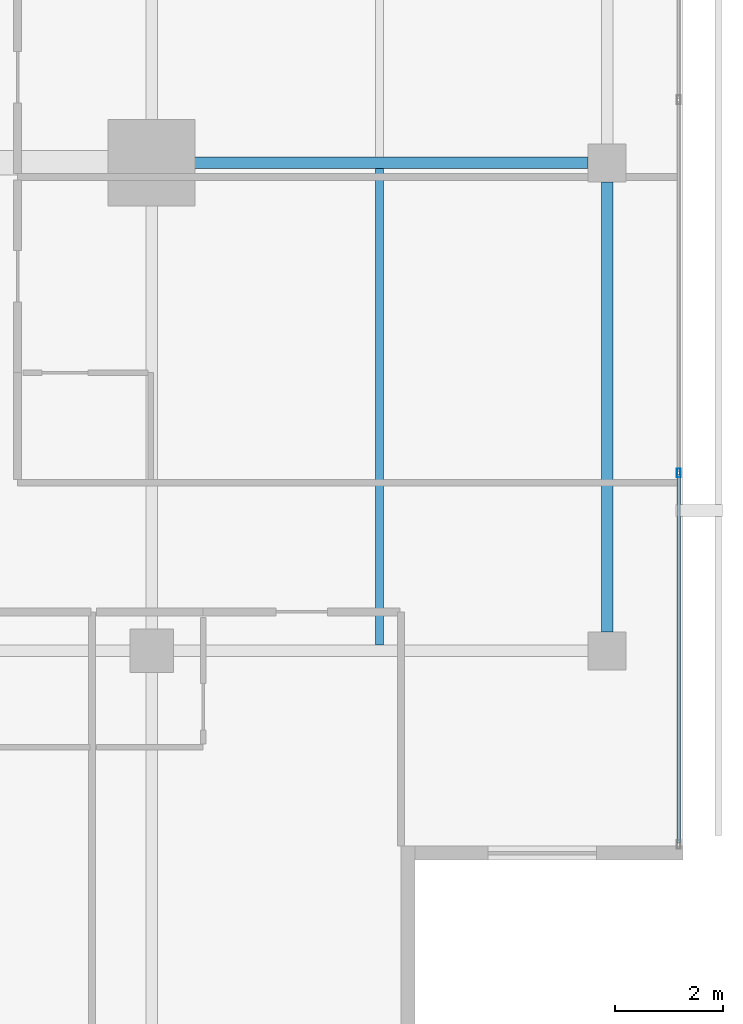
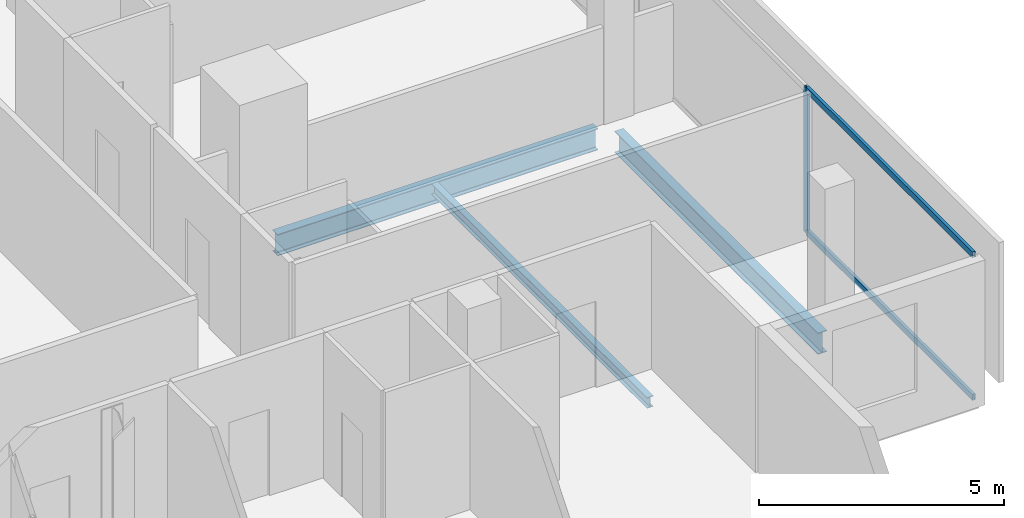
# One storey, part 12 of 26: 3 beams, 3 members, 1 element without a shape of its own.
"""IFC4 building model written with IfcOpenShell, lengths in metres."""

from ifc_helpers import new_model, si_unit, direction, frame, origin, origin_2d, place, context, subcontext, project, spatial, hollow_rectangle, i_section, extrude, material, layer, layer_set, material_profile, profile_set, type_object, element, aggregate, save


model = new_model("IFC4")

# Units and contexts
model_context = context("Model", 3, precision=1e-05, world=origin(), true_north=direction((0.0, 1.0)))
body_context = subcontext(model_context, "Body", "Model", "MODEL_VIEW")
ifc_project = project(units=[si_unit("LENGTHUNIT", "METRE"), si_unit("AREAUNIT", "SQUARE_METRE"), si_unit("VOLUMEUNIT", "CUBIC_METRE"), si_unit("PLANEANGLEUNIT", "RADIAN"), si_unit("MASSUNIT", "GRAM", prefix="KILO")], contexts=[model_context])

# Site, building, storey
site_placement = place(None, origin())
site = spatial("IfcSite", under=ifc_project, at=site_placement, CompositionType="ELEMENT")
building_placement = place(site_placement, origin())
building = spatial("IfcBuilding", under=site, at=building_placement, Name="Maruvema Waterfront Hotel and Observation Tower", CompositionType="ELEMENT")
storey_placement = place(building_placement, frame((0.0, 0.0, 243.25)))
storey = spatial("IfcBuildingStorey", under=building, at=storey_placement, Name="L59", CompositionType="ELEMENT", Elevation=243.25)

# Curtain wall, members
ifc_material_1 = material(Name="Anodised bronze aluminium and solar-control low-E IGU", Category="aluminium")
ifc_layer = layer(ifc_material_1, 0.159912109375, Name="Zone 3 Champagne Inner Thermal Curtain Wall System CW-04")
ifc_layer_set = layer_set([ifc_layer], Name="Anodised bronze aluminium and solar-control low-E IGU")
curtain_wall_type = type_object("IfcCurtainWallType", Name="Zone 3 Champagne Inner Thermal Curtain Wall System CW-04", PredefinedType="USERDEFINED", material=ifc_layer_set)
curtain_wall_placement = place(storey_placement, origin())
curtain_wall = element("IfcCurtainWall", 1, at=curtain_wall_placement, inside=storey, type_object=curtain_wall_type, Name="L59 Curtain Wall CW-L59-E", ObjectType="UNITISED CURTAIN WALL", PredefinedType="USERDEFINED")
ifc_material_2 = material(Name="Anodised architectural bronze aluminium", Category="aluminium")
ifc_material_profile_1 = material_profile(ifc_material_2, hollow_rectangle(XDim=0.070068359375, YDim=0.14990234375, WallThickness=0.00390625, at=origin_2d()), Name="ALU-T70x150")
ifc_profile_set_1 = profile_set([ifc_material_profile_1], Name="Anodised architectural bronze aluminium")
member_type_1 = type_object("IfcMemberType", Name="Curtain Wall Horizontal Transom ALU-T70x150", PredefinedType="USERDEFINED", material=ifc_profile_set_1)
member_1_placement = place(storey_placement, frame((60.1201171875, 14.4599609375, 0.030029296875), z_axis=(0.0, 1.0, 0.0), x_axis=(-1.0, 0.0, 0.0)))
member_1 = element("IfcMember", 2, at=member_1_placement, type_object=member_type_1, Name="CW-04 transom 1.1", ObjectType="TRANSOM", PredefinedType="USERDEFINED", context=body_context, shape_type="SweptSolid", body=[
    extrude(hollow_rectangle(XDim=0.070068359375, YDim=0.14990234375, WallThickness=0.00390625, at=origin_2d()), origin(), (0.0, 0.0, 1.0), 6.7900390625),
])
member_2_placement = place(storey_placement, frame((60.1201171875, 14.4599609375, 3.580078125), z_axis=(0.0, 1.0, 0.0), x_axis=(-1.0, 0.0, 0.0)))
member_2 = element("IfcMember", 3, at=member_2_placement, type_object=member_type_1, Name="CW-04 transom 1.2", ObjectType="TRANSOM", PredefinedType="USERDEFINED", context=body_context, shape_type="SweptSolid", body=[
    extrude(hollow_rectangle(XDim=0.070068359375, YDim=0.14990234375, WallThickness=0.00390625, at=origin_2d()), origin(), (0.0, 0.0, 1.0), 6.7900390625),
])
ifc_material_3 = material(Name="Anodised architectural bronze aluminium", Category="aluminium")
ifc_material_profile_2 = material_profile(ifc_material_3, hollow_rectangle(XDim=0.06494140625, YDim=0.1650390625, WallThickness=0.00390625, at=origin_2d()), Name="ALU-M65x165")
ifc_profile_set_2 = profile_set([ifc_material_profile_2], Name="Anodised architectural bronze aluminium")
member_type_2 = type_object("IfcMemberType", Name="Curtain Wall Primary Mullion ALU-M65x165", PredefinedType="MULLION", material=ifc_profile_set_2)
member_3_placement = place(storey_placement, frame((60.1201171875, 21.280029296875, 0.0), z_axis=(0.0, 0.0, 1.0), x_axis=(-1.0, 0.0, 0.0)))
member_3 = element("IfcMember", 4, at=member_3_placement, type_object=member_type_2, Name="CW-04 mullion 2", PredefinedType="MULLION", context=body_context, shape_type="SweptSolid", body=[
    extrude(hollow_rectangle(XDim=0.06494140625, YDim=0.1650390625, WallThickness=0.00390625, at=origin_2d()), origin(), (0.0, 0.0, 1.0), 3.610107421875),
])
aggregate(curtain_wall, [member_3, member_1, member_2])

# Beams
ifc_material_4 = material(Name="Steel ASTM A572 Grade 50", Category="steel")
ifc_material_profile_3 = material_profile(ifc_material_4, i_section(OverallWidth=0.208984375, OverallDepth=0.532958984375, WebThickness=0.01025390625, FlangeThickness=0.015625, FilletRadius=0.014892578125, at=origin_2d()), Name="W530x92.0")
ifc_profile_set_3 = profile_set([ifc_material_profile_3], Name="Steel ASTM A572 Grade 50")
beam_type_1 = type_object("IfcBeamType", Name="Primary Floor Girder W530x92.0", PredefinedType="BEAM", material=ifc_profile_set_3)
beam_1_placement = place(storey_placement, frame((50.89990234375, 27.0, -0.506591796875), z_axis=(1.0, 0.0, 0.0), x_axis=(0.0, 1.0, 0.0)))
element("IfcBeam", 5, at=beam_1_placement, inside=storey, type_object=beam_type_1, Name="L59 Floor Girder EW-11", PredefinedType="BEAM", context=body_context, shape_type="SweptSolid", body=[
    extrude(i_section(OverallWidth=0.208984375, OverallDepth=0.532958984375, WebThickness=0.01025390625, FlangeThickness=0.015625, FilletRadius=0.014892578125, at=origin_2d()), origin(), (0.0, 0.0, 1.0), 7.550048828125),
])
beam_2_placement = place(storey_placement, frame((58.800048828125, 18.35009765625, -0.506591796875), z_axis=(0.0, 1.0, 0.0), x_axis=(-1.0, 0.0, 0.0)))
element("IfcBeam", 6, at=beam_2_placement, inside=storey, type_object=beam_type_1, Name="L59 Floor Girder NS-16", PredefinedType="BEAM", context=body_context, shape_type="SweptSolid", body=[
    extrude(i_section(OverallWidth=0.208984375, OverallDepth=0.532958984375, WebThickness=0.01025390625, FlangeThickness=0.015625, FilletRadius=0.014892578125, at=origin_2d()), origin(), (0.0, 0.0, 1.0), 8.2998046875),
])
ifc_material_5 = material(Name="Steel ASTM A572 Grade 50", Category="steel")
ifc_material_profile_4 = material_profile(ifc_material_5, i_section(OverallWidth=0.14794921875, OverallDepth=0.26611328125, WebThickness=0.007568359375, FlangeThickness=0.012939453125, FilletRadius=0.012939453125, at=origin_2d()), Name="W250x44.8")
ifc_profile_set_4 = profile_set([ifc_material_profile_4], Name="Steel ASTM A572 Grade 50")
beam_type_2 = type_object("IfcBeamType", Name="Secondary Floor Joist W250x44.8", PredefinedType="JOIST", material=ifc_profile_set_4)
beam_3_placement = place(storey_placement, frame((54.60009765625, 18.1044921875, -0.373046875), z_axis=(0.0, 1.0, 0.0), x_axis=(-1.0, 0.0, 0.0)))
element("IfcBeam", 7, at=beam_3_placement, inside=storey, type_object=beam_type_2, Name="L59 Secondary Floor Joist JS-07", PredefinedType="JOIST", context=body_context, shape_type="SweptSolid", body=[
    extrude(i_section(OverallWidth=0.14794921875, OverallDepth=0.26611328125, WebThickness=0.007568359375, FlangeThickness=0.012939453125, FilletRadius=0.012939453125, at=origin_2d()), origin(), (0.0, 0.0, 1.0), 8.791015625),
])

save(model, "model.ifc")
